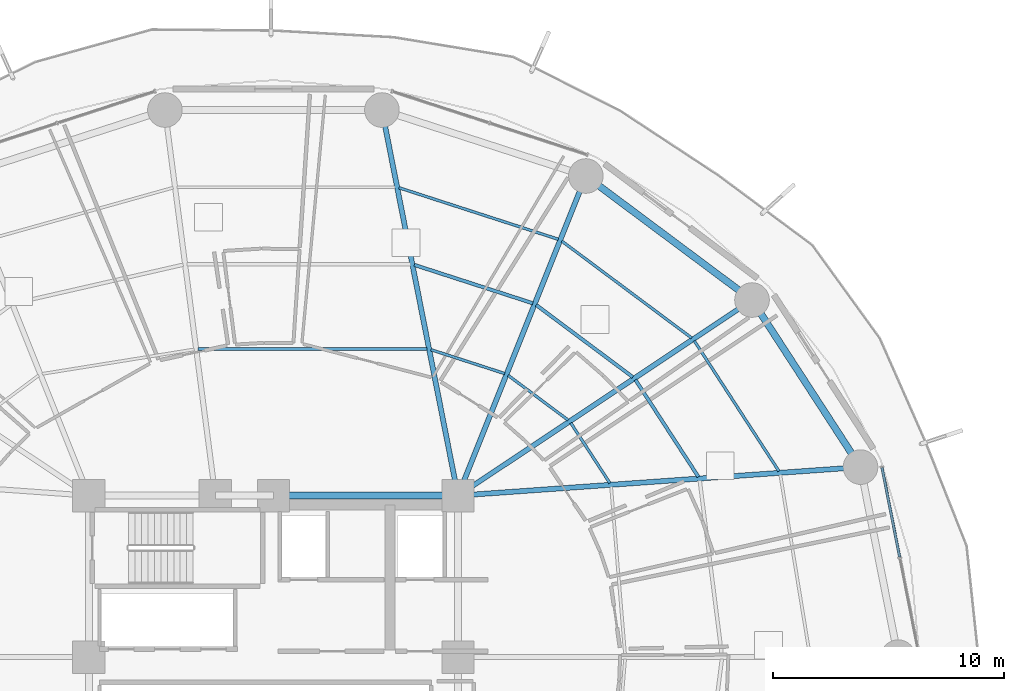
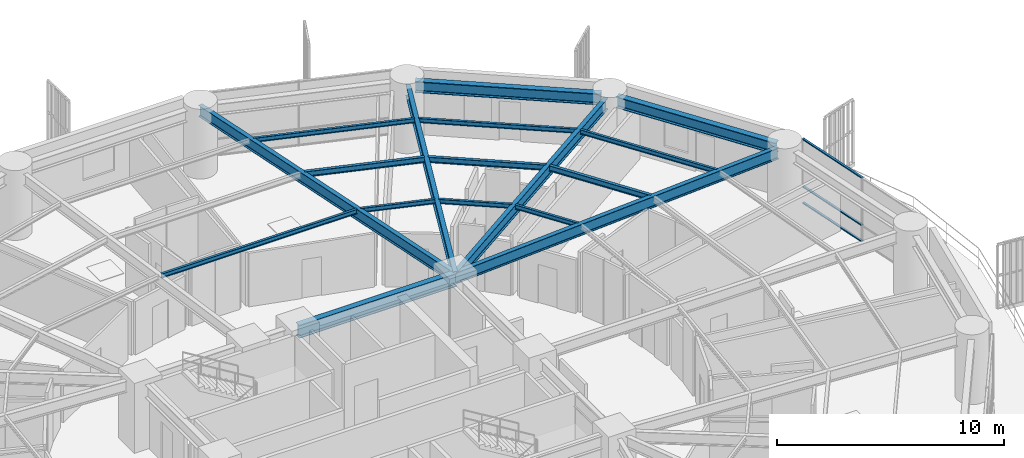
# One storey, part 19 of 33: 17 beams, 3 members, 1 element without a shape of its own.
"""IFC4 building model written with IfcOpenShell, lengths in metres."""

from ifc_helpers import new_model, si_unit, direction, frame, origin, origin_2d, place, context, subcontext, project, spatial, hollow_rectangle, i_section, extrude, material, layer, layer_set, material_profile, profile_set, type_object, element, aggregate, save


model = new_model("IFC4")

# Units and contexts
model_context = context("Model", 3, precision=1e-05, world=origin(), true_north=direction((0.0, 1.0)))
body_context = subcontext(model_context, "Body", "Model", "MODEL_VIEW")
ifc_project = project(units=[si_unit("LENGTHUNIT", "METRE"), si_unit("AREAUNIT", "SQUARE_METRE"), si_unit("VOLUMEUNIT", "CUBIC_METRE"), si_unit("PLANEANGLEUNIT", "RADIAN"), si_unit("MASSUNIT", "GRAM", prefix="KILO")], contexts=[model_context])

# Site, building, storey
site_placement = place(None, origin())
site = spatial("IfcSite", under=ifc_project, at=site_placement, CompositionType="ELEMENT")
building_placement = place(site_placement, origin())
building = spatial("IfcBuilding", under=site, at=building_placement, Name="Kelanora Arch Commons", CompositionType="ELEMENT")
storey_placement = place(building_placement, frame((0.0, 0.0, 41.25)))
storey = spatial("IfcBuildingStorey", under=building, at=storey_placement, Name="L10", CompositionType="ELEMENT", Elevation=41.25)

# Beams
ifc_material_1 = material(Name="Steel S355", Category="steel")
ifc_material_profile_1 = material_profile(ifc_material_1, i_section(OverallWidth=0.300048828125, OverallDepth=0.699951171875, WebThickness=0.01708984375, FlangeThickness=0.031982421875, FilletRadius=0.027099609375, at=origin_2d()), Name="HEB700")
ifc_profile_set_1 = profile_set([ifc_material_profile_1], Name="Steel S355")
beam_type_1 = type_object("IfcBeamType", Name="BM-CORE-HDR", PredefinedType="BEAM", material=ifc_profile_set_1)
beam_1_placement = place(storey_placement, frame((82.0, 65.0, 3.139892578125), z_axis=(-1.0, 0.0, 0.0), x_axis=(0.0, -1.0, 0.0)))
element("IfcBeam", 1, at=beam_1_placement, inside=storey, type_object=beam_type_1, Name="Core Header Beam 05 L10", PredefinedType="BEAM", context=body_context, shape_type="SweptSolid", body=[
    extrude(i_section(OverallWidth=0.300048828125, OverallDepth=0.699951171875, WebThickness=0.01708984375, FlangeThickness=0.031982421875, FilletRadius=0.027099609375, at=origin_2d()), origin(), (0.0, 0.0, 1.0), 8.0),
])
ifc_material_profile_2 = material_profile(ifc_material_1, i_section(OverallWidth=0.14990234375, OverallDepth=0.300048828125, WebThickness=0.007080078125, FlangeThickness=0.0107421875, FilletRadius=0.014892578125, at=origin_2d()), Name="IPE300")
ifc_profile_set_2 = profile_set([ifc_material_profile_2], Name="Steel S355")
beam_type_2 = type_object("IfcBeamType", Name="BM-JST-01", PredefinedType="JOIST", material=ifc_profile_set_2)
beam_2_placement = place(storey_placement, frame((92.421875, 65.812744140625, 3.340087890625), z_axis=(-0.544551588245, 0.838727350061, 0.0), x_axis=(-0.838727350061, -0.544551588245, 0.0)))
element("IfcBeam", 2, at=beam_2_placement, inside=storey, type_object=beam_type_2, Name="Secondary Chord Joist BJB-02 L10", PredefinedType="JOIST", context=body_context, shape_type="SweptSolid", body=[
    extrude(i_section(OverallWidth=0.14990234375, OverallDepth=0.300048828125, WebThickness=0.007080078125, FlangeThickness=0.0107421875, FilletRadius=0.014892578125, at=origin_2d()), origin(), (0.0, 0.0, 1.0), 5.010986328125),
])
beam_3_placement = place(storey_placement, frame((89.57861328125, 70.1376953125, 3.340087890625), z_axis=(-0.801478251559, 0.598023922831, 0.0), x_axis=(-0.598023922831, -0.801478251559, 0.0)))
element("IfcBeam", 3, at=beam_3_placement, inside=storey, type_object=beam_type_2, Name="Secondary Chord Joist BJB-04 L10", PredefinedType="JOIST", context=body_context, shape_type="SweptSolid", body=[
    extrude(i_section(OverallWidth=0.14990234375, OverallDepth=0.300048828125, WebThickness=0.007080078125, FlangeThickness=0.0107421875, FilletRadius=0.014892578125, at=origin_2d()), origin(), (0.0, 0.0, 1.0), 5.223388671875),
])
beam_4_placement = place(storey_placement, frame((85.2431640625, 73.33837890625, 3.340087890625), z_axis=(-0.951412209627, 0.307920131482, 0.0), x_axis=(-0.307920131482, -0.951412209627, 0.0)))
element("IfcBeam", 4, at=beam_4_placement, inside=storey, type_object=beam_type_2, Name="Secondary Chord Joist BJB-06 L10", PredefinedType="JOIST", context=body_context, shape_type="SweptSolid", body=[
    extrude(i_section(OverallWidth=0.14990234375, OverallDepth=0.300048828125, WebThickness=0.007080078125, FlangeThickness=0.0107421875, FilletRadius=0.014892578125, at=origin_2d()), origin(), (0.0, 0.0, 1.0), 5.4033203125),
])
ifc_material_profile_3 = material_profile(ifc_material_1, i_section(OverallWidth=0.1201171875, OverallDepth=0.239990234375, WebThickness=0.006103515625, FlangeThickness=0.009765625, FilletRadius=0.014892578125, at=origin_2d()), Name="IPE240")
ifc_profile_set_3 = profile_set([ifc_material_profile_3], Name="Steel S355")
beam_type_3 = type_object("IfcBeamType", Name="BM-JST-02", PredefinedType="JOIST", material=ifc_profile_set_3)
beam_5_placement = place(storey_placement, frame((88.58349609375, 65.541015625, 3.3701171875), z_axis=(-0.544591105858, 0.838701691557, 0.0), x_axis=(-0.838701691557, -0.544591105858, 0.0)))
element("IfcBeam", 5, at=beam_5_placement, inside=storey, type_object=beam_type_3, Name="Secondary Chord Joist BJA-02 L10", PredefinedType="JOIST", context=body_context, shape_type="SweptSolid", body=[
    extrude(i_section(OverallWidth=0.1201171875, OverallDepth=0.239990234375, WebThickness=0.006103515625, FlangeThickness=0.009765625, FilletRadius=0.014892578125, at=origin_2d()), origin(), (0.0, 0.0, 1.0), 3.111328125),
])
beam_6_placement = place(storey_placement, frame((95.9111328125, 66.059814453125, 3.3701171875), z_axis=(-0.544550165372, 0.838728273873, 0.0), x_axis=(-0.838728273873, -0.544550165372, 0.0)))
element("IfcBeam", 6, at=beam_6_placement, inside=storey, type_object=beam_type_3, Name="Secondary Chord Joist BJC-02 L10", PredefinedType="JOIST", context=body_context, shape_type="SweptSolid", body=[
    extrude(i_section(OverallWidth=0.1201171875, OverallDepth=0.239990234375, WebThickness=0.006103515625, FlangeThickness=0.009765625, FilletRadius=0.014892578125, at=origin_2d()), origin(), (0.0, 0.0, 1.0), 6.738037109375),
])
beam_7_placement = place(storey_placement, frame((86.77490234375, 68.272705078125, 3.3701171875), z_axis=(-0.801513822608, 0.59797624716, 0.0), x_axis=(-0.59797624716, -0.801513822608, 0.0)))
element("IfcBeam", 7, at=beam_7_placement, inside=storey, type_object=beam_type_3, Name="Secondary Chord Joist BJA-04 L10", PredefinedType="JOIST", context=body_context, shape_type="SweptSolid", body=[
    extrude(i_section(OverallWidth=0.1201171875, OverallDepth=0.239990234375, WebThickness=0.006103515625, FlangeThickness=0.009765625, FilletRadius=0.014892578125, at=origin_2d()), origin(), (0.0, 0.0, 1.0), 3.245849609375),
])
beam_8_placement = place(storey_placement, frame((92.12744140625, 71.83349609375, 3.3701171875), z_axis=(-0.80149131963, 0.598006408459, 0.0), x_axis=(-0.598006408459, -0.80149131963, 0.0)))
element("IfcBeam", 8, at=beam_8_placement, inside=storey, type_object=beam_type_3, Name="Secondary Chord Joist BJC-04 L10", PredefinedType="JOIST", context=body_context, shape_type="SweptSolid", body=[
    extrude(i_section(OverallWidth=0.1201171875, OverallDepth=0.239990234375, WebThickness=0.006103515625, FlangeThickness=0.009765625, FilletRadius=0.014892578125, at=origin_2d()), origin(), (0.0, 0.0, 1.0), 7.021240234375),
])
beam_9_placement = place(storey_placement, frame((84.0244140625, 70.290771484375, 3.3701171875), z_axis=(-0.951422608074, 0.30788800049, 0.0), x_axis=(-0.30788800049, -0.951422608074, 0.0)))
element("IfcBeam", 9, at=beam_9_placement, inside=storey, type_object=beam_type_3, Name="Secondary Chord Joist BJA-06 L10", PredefinedType="JOIST", context=body_context, shape_type="SweptSolid", body=[
    extrude(i_section(OverallWidth=0.1201171875, OverallDepth=0.239990234375, WebThickness=0.006103515625, FlangeThickness=0.009765625, FilletRadius=0.014892578125, at=origin_2d()), origin(), (0.0, 0.0, 1.0), 3.359619140625),
])
beam_10_placement = place(storey_placement, frame((86.35107421875, 76.109375, 3.3701171875), z_axis=(-0.951410915705, 0.307924129418, 0.0), x_axis=(-0.307924129418, -0.951410915705, 0.0)))
element("IfcBeam", 10, at=beam_10_placement, inside=storey, type_object=beam_type_3, Name="Secondary Chord Joist BJC-06 L10", PredefinedType="JOIST", context=body_context, shape_type="SweptSolid", body=[
    extrude(i_section(OverallWidth=0.1201171875, OverallDepth=0.239990234375, WebThickness=0.006103515625, FlangeThickness=0.009765625, FilletRadius=0.014892578125, at=origin_2d()), origin(), (0.0, 0.0, 1.0), 7.260986328125),
])
beam_11_placement = place(storey_placement, frame((80.661865234375, 71.351318359375, 3.3701171875), z_axis=(-1.0, 0.0, 0.0), x_axis=(0.0, -1.0, 0.0)))
element("IfcBeam", 11, at=beam_11_placement, inside=storey, type_object=beam_type_3, Name="Secondary Chord Joist BJA-08 L10", PredefinedType="JOIST", context=body_context, shape_type="SweptSolid", body=[
    extrude(i_section(OverallWidth=0.1201171875, OverallDepth=0.239990234375, WebThickness=0.006103515625, FlangeThickness=0.009765625, FilletRadius=0.014892578125, at=origin_2d()), origin(), (0.0, 0.0, 1.0), 9.92626953125),
])
ifc_material_profile_4 = material_profile(ifc_material_1, i_section(OverallWidth=0.219970703125, OverallDepth=0.60009765625, WebThickness=0.011962890625, FlangeThickness=0.01904296875, FilletRadius=0.02392578125, at=origin_2d()), Name="IPE600")
ifc_profile_set_4 = profile_set([ifc_material_profile_4], Name="Steel S355")
beam_type_4 = type_object("IfcBeamType", Name="BM-RAD-Z1", PredefinedType="BEAM", material=ifc_profile_set_4)
beam_12_placement = place(storey_placement, frame((82.0, 65.0, 3.18994140625), z_axis=(0.997500678462, 0.070656892572, 0.0), x_axis=(-0.070656892572, 0.997500678462, 0.0)))
element("IfcBeam", 12, at=beam_12_placement, inside=storey, type_object=beam_type_4, Name="Radial Floor Girder BR-02 L10", PredefinedType="BEAM", context=body_context, shape_type="SweptSolid", body=[
    extrude(i_section(OverallWidth=0.219970703125, OverallDepth=0.60009765625, WebThickness=0.011962890625, FlangeThickness=0.01904296875, FilletRadius=0.02392578125, at=origin_2d()), origin(), (0.0, 0.0, 1.0), 17.110595703125),
])
beam_13_placement = place(storey_placement, frame((82.0, 65.0, 3.18994140625), z_axis=(0.832590897434, 0.553888434173, 0.0), x_axis=(-0.553888434173, 0.832590897434, 0.0)))
element("IfcBeam", 13, at=beam_13_placement, inside=storey, type_object=beam_type_4, Name="Radial Floor Girder BR-04 L10", PredefinedType="BEAM", context=body_context, shape_type="SweptSolid", body=[
    extrude(i_section(OverallWidth=0.219970703125, OverallDepth=0.60009765625, WebThickness=0.011962890625, FlangeThickness=0.01904296875, FilletRadius=0.02392578125, at=origin_2d()), origin(), (0.0, 0.0, 1.0), 14.9267578125),
])
beam_14_placement = place(storey_placement, frame((82.0, 65.0, 3.18994140625), z_axis=(0.37129803903, 0.928513740454, 0.0), x_axis=(-0.928513740454, 0.37129803903, 0.0)))
element("IfcBeam", 14, at=beam_14_placement, inside=storey, type_object=beam_type_4, Name="Radial Floor Girder BR-06 L10", PredefinedType="BEAM", context=body_context, shape_type="SweptSolid", body=[
    extrude(i_section(OverallWidth=0.219970703125, OverallDepth=0.60009765625, WebThickness=0.011962890625, FlangeThickness=0.01904296875, FilletRadius=0.02392578125, at=origin_2d()), origin(), (0.0, 0.0, 1.0), 14.540771484375),
])
beam_15_placement = place(storey_placement, frame((82.0, 65.0, 3.18994140625), z_axis=(-0.19356352044, 0.981087745084, 0.0), x_axis=(-0.981087745084, -0.19356352044, 0.0)))
element("IfcBeam", 15, at=beam_15_placement, inside=storey, type_object=beam_type_4, Name="Radial Floor Girder BR-08 L10", PredefinedType="BEAM", context=body_context, shape_type="SweptSolid", body=[
    extrude(i_section(OverallWidth=0.219970703125, OverallDepth=0.60009765625, WebThickness=0.011962890625, FlangeThickness=0.01904296875, FilletRadius=0.02392578125, at=origin_2d()), origin(), (0.0, 0.0, 1.0), 17.036376953125),
])
ifc_material_profile_5 = material_profile(ifc_material_1, i_section(OverallWidth=0.300048828125, OverallDepth=0.60009765625, WebThickness=0.015380859375, FlangeThickness=0.030029296875, FilletRadius=0.027099609375, at=origin_2d()), Name="HEB600")
ifc_profile_set_5 = profile_set([ifc_material_profile_5], Name="Steel S355")
beam_type_5 = type_object("IfcBeamType", Name="BM-SPN-Z1", PredefinedType="SPANDREL", material=ifc_profile_set_5)
beam_16_placement = place(storey_placement, frame((99.239990234375, 66.554443359375, 3.18994140625), z_axis=(-0.54455786519, 0.838723274662, 0.0), x_axis=(-0.838723274662, -0.54455786519, 0.0)))
element("IfcBeam", 16, at=beam_16_placement, inside=storey, type_object=beam_type_5, Name="Perimeter Spandrel Beam BS-02 L10", PredefinedType="SPANDREL", context=body_context, shape_type="SweptSolid", body=[
    extrude(i_section(OverallWidth=0.300048828125, OverallDepth=0.60009765625, WebThickness=0.015380859375, FlangeThickness=0.030029296875, FilletRadius=0.027099609375, at=origin_2d()), origin(), (0.0, 0.0, 1.0), 7.875244140625),
])
beam_17_placement = place(storey_placement, frame((94.43994140625, 73.70556640625, 3.18994140625), z_axis=(-0.801482139897, 0.598018711601, 0.0), x_axis=(-0.598018711601, -0.801482139897, 0.0)))
element("IfcBeam", 17, at=beam_17_placement, inside=storey, type_object=beam_type_5, Name="Perimeter Spandrel Beam BS-04 L10", PredefinedType="SPANDREL", context=body_context, shape_type="SweptSolid", body=[
    extrude(i_section(OverallWidth=0.300048828125, OverallDepth=0.60009765625, WebThickness=0.015380859375, FlangeThickness=0.030029296875, FilletRadius=0.027099609375, at=origin_2d()), origin(), (0.0, 0.0, 1.0), 8.22900390625),
])

# Curtain wall, members
ifc_material_2 = material(Name="Terracotta ceramic-fritted low-E glass and aluminium", Category="masonry")
ifc_layer = layer(ifc_material_2, 0.159912109375)
ifc_layer_set = layer_set([ifc_layer], Name="Terracotta ceramic-fritted low-E glass and aluminium")
curtain_wall_type = type_object("IfcCurtainWallType", Name="CW-SYS-01", PredefinedType="NOTDEFINED", material=ifc_layer_set)
curtain_wall_placement = place(storey_placement, origin())
curtain_wall = element("IfcCurtainWall", 18, at=curtain_wall_placement, inside=storey, type_object=curtain_wall_type, Name="Unitised Curtain Wall L10-B00", PredefinedType="NOTDEFINED")
ifc_material_3 = material(Name="Powder-coated aluminium terracotta", Category="masonry")
ifc_material_profile_6 = material_profile(ifc_material_3, hollow_rectangle(XDim=0.1201171875, YDim=0.06005859375, WallThickness=0.0048828125, InnerFilletRadius=0.0048828125, OuterFilletRadius=0.010009765625, at=origin_2d()), Name="CWT120x60")
ifc_profile_set_6 = profile_set([ifc_material_profile_6], Name="Powder-coated aluminium terracotta")
member_type = type_object("IfcMemberType", Name="CWT-STD", PredefinedType="USERDEFINED", material=ifc_profile_set_6)
member_1_placement = place(storey_placement, frame((101.142578125, 62.3408203125, 0.030029296875), z_axis=(-0.193725436624, 0.98105578598, 0.0), x_axis=(-0.98105578598, -0.193725436624, 0.0)))
member_1 = element("IfcMember", 19, at=member_1_placement, type_object=member_type, Name="CW-01 transom 2.1", ObjectType="TRANSOM", PredefinedType="USERDEFINED", context=body_context, shape_type="SweptSolid", body=[
    extrude(hollow_rectangle(XDim=0.1201171875, YDim=0.06005859375, WallThickness=0.0048828125, InnerFilletRadius=0.0048828125, OuterFilletRadius=0.010009765625, at=origin_2d()), origin(), (0.0, 0.0, 1.0), 3.9482421875),
])
member_2_placement = place(storey_placement, frame((101.142578125, 62.3408203125, 0.89990234375), z_axis=(-0.193725436624, 0.98105578598, 0.0), x_axis=(-0.98105578598, -0.193725436624, 0.0)))
member_2 = element("IfcMember", 20, at=member_2_placement, type_object=member_type, Name="CW-01 transom 2.2", ObjectType="TRANSOM", PredefinedType="USERDEFINED", context=body_context, shape_type="SweptSolid", body=[
    extrude(hollow_rectangle(XDim=0.1201171875, YDim=0.06005859375, WallThickness=0.0048828125, InnerFilletRadius=0.0048828125, OuterFilletRadius=0.010009765625, at=origin_2d()), origin(), (0.0, 0.0, 1.0), 3.9482421875),
])
member_3_placement = place(storey_placement, frame((101.142578125, 62.3408203125, 3.445068359375), z_axis=(-0.193725436624, 0.98105578598, 0.0), x_axis=(-0.98105578598, -0.193725436624, 0.0)))
member_3 = element("IfcMember", 21, at=member_3_placement, type_object=member_type, Name="CW-01 transom 2.3", ObjectType="TRANSOM", PredefinedType="USERDEFINED", context=body_context, shape_type="SweptSolid", body=[
    extrude(hollow_rectangle(XDim=0.1201171875, YDim=0.06005859375, WallThickness=0.0048828125, InnerFilletRadius=0.0048828125, OuterFilletRadius=0.010009765625, at=origin_2d()), origin(), (0.0, 0.0, 1.0), 3.9482421875),
])
aggregate(curtain_wall, [member_1, member_2, member_3])

save(model, "model.ifc")
